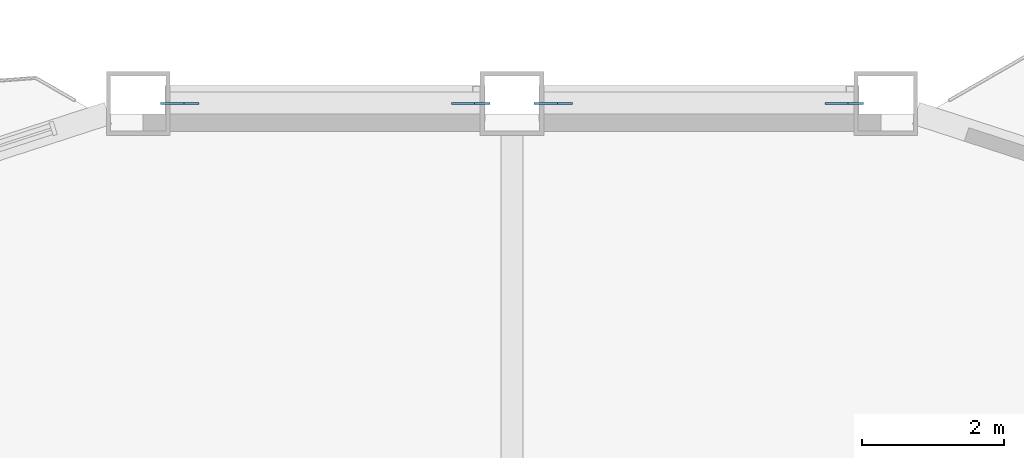
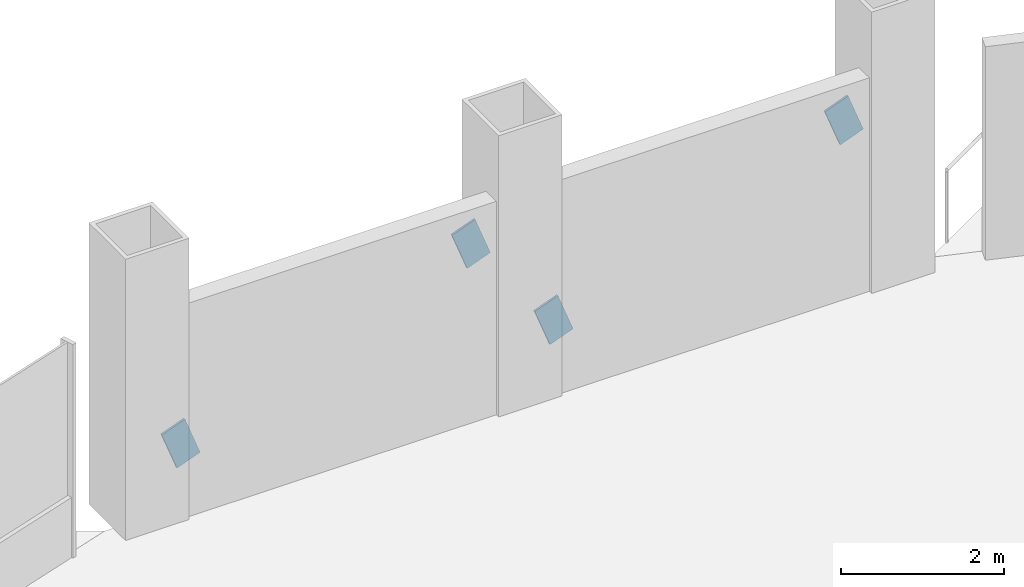
# One storey, part 16 of 21: 4 discrete accessories.
"""IFC4 building model written with IfcOpenShell, lengths in metres."""

from ifc_helpers import new_model, si_unit, direction, frame, origin, origin_2d, place, context, subcontext, project, spatial, rectangle, extrude, material, material_profile, profile_set, type_object, element, save


model = new_model("IFC4")

# Units and contexts
model_context = context("Model", 3, precision=1e-05, world=origin(), true_north=direction((0.0, 1.0)))
body_context = subcontext(model_context, "Body", "Model", "MODEL_VIEW")
ifc_project = project(units=[si_unit("LENGTHUNIT", "METRE"), si_unit("AREAUNIT", "SQUARE_METRE"), si_unit("VOLUMEUNIT", "CUBIC_METRE"), si_unit("PLANEANGLEUNIT", "RADIAN"), si_unit("MASSUNIT", "GRAM", prefix="KILO")], contexts=[model_context])

# Site, building, storey
site_placement = place(None, origin())
site = spatial("IfcSite", under=ifc_project, at=site_placement, CompositionType="ELEMENT")
building_placement = place(site_placement, origin())
building = spatial("IfcBuilding", under=site, at=building_placement, Name="Cormorant Prow Tower", CompositionType="ELEMENT")
storey_placement = place(building_placement, frame((0.0, 0.0, 112.199951171875)))
storey = spatial("IfcBuildingStorey", under=building, at=storey_placement, Name="L23", CompositionType="ELEMENT", Elevation=112.199951171875)

# Discrete accessories
ifc_material = material(Name="Structural steel ASTM A500 Gr C", Category="steel")
ifc_material_profile = material_profile(ifc_material, rectangle(XDim=0.031982421875, YDim=0.60791015625, at=origin_2d()), Name="Gusset plate 32x608")
ifc_profile_set = profile_set([ifc_material_profile], Name="Structural steel ASTM A500 Gr C")
discrete_accessory_type = type_object("IfcDiscreteAccessoryType", Name="Gusset plate 32x608", PredefinedType="BRACKET", material=ifc_profile_set)
discrete_accessory_1_placement = place(storey_placement, frame((0.74853515625, 32.487060546875, 0.882568359375), z_axis=(-0.935697286394, 0.0, -0.35280389487), x_axis=(0.0, -1.0, 0.0)))
element("IfcDiscreteAccessory", 1, at=discrete_accessory_1_placement, inside=storey, type_object=discrete_accessory_type, Name="Gusset plate GP1 L23.N00.g0", PredefinedType="BRACKET", context=body_context, shape_type="SweptSolid", body=[
    extrude(rectangle(XDim=0.031982421875, YDim=0.60791015625, at=origin_2d()), origin(), (0.0, 0.0, 1.0), 0.35009765625),
])
for number, where, z_axis, x_axis, name in (
    (2, (4.521240234375, 32.487060546875, 2.306396484375), (0.935610415408, 0.0, 0.353034205963), (0.0, 1.0, 0.0), "Gusset plate GP1 L23.N00.g1"),
    (3, (-4.521240234375, 32.487060546875, 0.882568359375), (-0.935610415408, 0.0, -0.353034205963), (0.0, -1.0, 0.0), "Gusset plate GP1 L23.N01.g0"),
):
    element("IfcDiscreteAccessory", number, at=place(storey_placement, frame(where, z_axis=z_axis, x_axis=x_axis)), inside=storey, type_object=discrete_accessory_type, Name=name, PredefinedType="BRACKET", context=body_context, shape_type="SweptSolid", body=[
        extrude(rectangle(XDim=0.031982421875, YDim=0.60791015625, at=origin_2d()), origin(), (0.0, 0.0, 1.0), 0.349853515625),
    ])
discrete_accessory_2_placement = place(storey_placement, frame((-0.74853515625, 32.487060546875, 2.306396484375), z_axis=(0.935697286394, 0.0, 0.35280389487), x_axis=(0.0, 1.0, 0.0)))
element("IfcDiscreteAccessory", 4, at=discrete_accessory_2_placement, inside=storey, type_object=discrete_accessory_type, Name="Gusset plate GP1 L23.N01.g1", PredefinedType="BRACKET", context=body_context, shape_type="SweptSolid", body=[
    extrude(rectangle(XDim=0.031982421875, YDim=0.60791015625, at=origin_2d()), origin(), (0.0, 0.0, 1.0), 0.35009765625),
])

save(model, "model.ifc")
